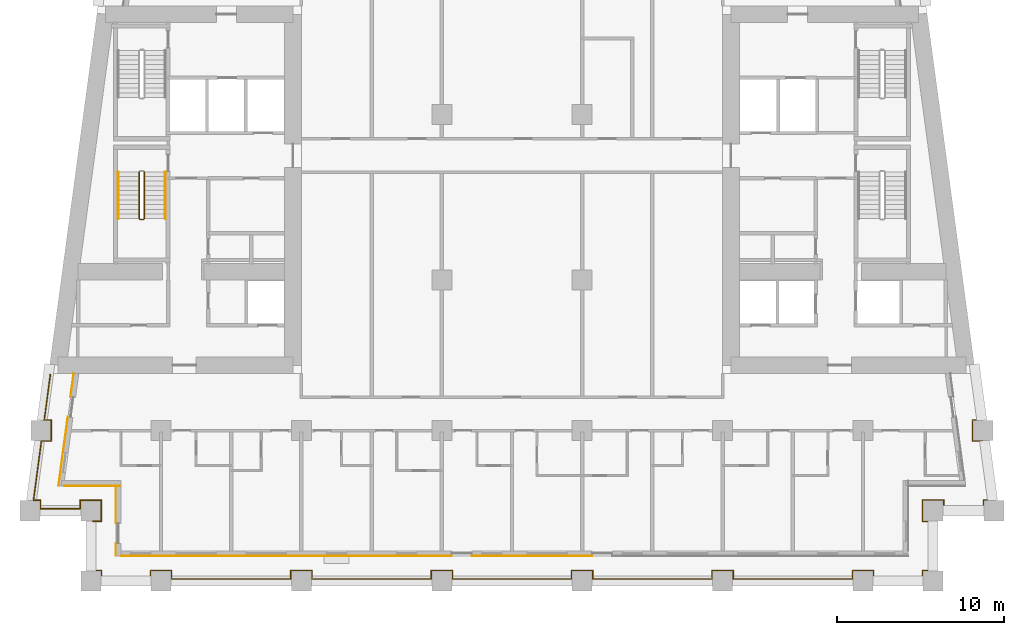
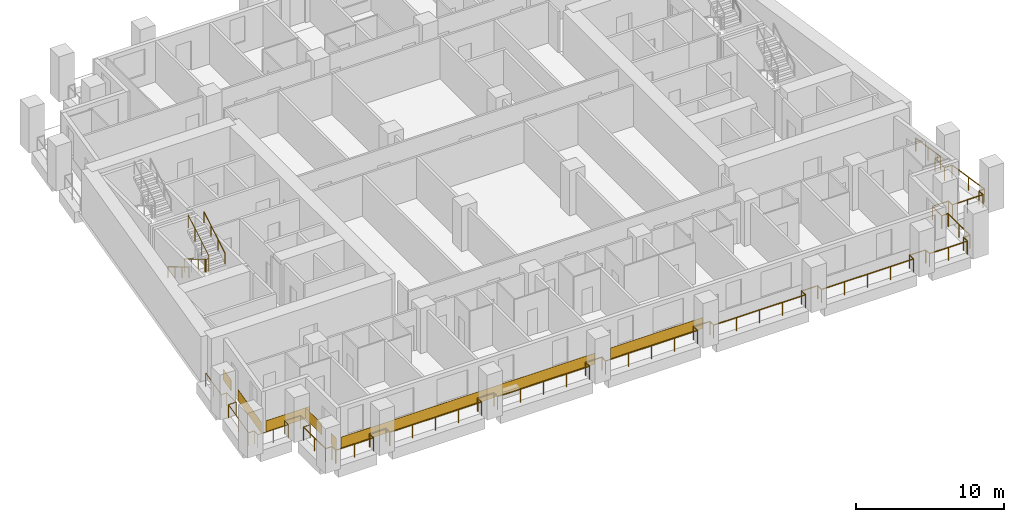
# One storey, part 10 of 14: 7 coverings, 5 railings.
"""IFC4 building model written with IfcOpenShell, lengths in metres."""

from ifc_helpers import new_model, si_unit, direction, frame, origin, origin_2d, place, context, subcontext, project, spatial, rectangle, circle, extrude, material, layer, layer_set, type_object, element, save


model = new_model("IFC4")

# Units and contexts
model_context = context("Model", 3, precision=1e-05, world=origin(), true_north=direction((0.0, 1.0)))
body_context = subcontext(model_context, "Body", "Model", "MODEL_VIEW")
ifc_project = project(units=[si_unit("LENGTHUNIT", "METRE"), si_unit("AREAUNIT", "SQUARE_METRE"), si_unit("VOLUMEUNIT", "CUBIC_METRE"), si_unit("PLANEANGLEUNIT", "RADIAN"), si_unit("MASSUNIT", "GRAM", prefix="KILO")], contexts=[model_context])

# Site, building, storey
site_placement = place(None, origin())
site = spatial("IfcSite", under=ifc_project, at=site_placement, CompositionType="ELEMENT")
building_placement = place(site_placement, origin())
building = spatial("IfcBuilding", under=site, at=building_placement, Name="Candeia Pilgrim Tower and Theatre", CompositionType="ELEMENT")
storey_placement = place(building_placement, frame((0.0, 0.0, 120.60009765625)))
storey = spatial("IfcBuildingStorey", under=building, at=storey_placement, Name="L28", CompositionType="ELEMENT", Elevation=120.60009765625)

# Railings
ifc_material_1 = material(Name="Stainless steel balustrade", Category="steel")
railing_type_1 = type_object("IfcRailingType", Name="G1 loggia guard 1100", PredefinedType="GUARDRAIL", material=ifc_material_1)
railing_1_placement = place(storey_placement, frame((88.320068359375, 101.570068359375, 0.0)))
element("IfcRailing", 1, at=railing_1_placement, inside=storey, type_object=railing_type_1, Name="Guard L28.1", PredefinedType="GUARDRAIL", context=body_context, shape_type="SweptSolid", body=[
    extrude(circle(Radius=0.02392578125, at=origin_2d()), frame((0.0, 0.0, 1.076171875), z_axis=(1.0, 0.0, 0.0), x_axis=(0.0, 1.0, 0.0)), (0.0, 0.0, 1.0), 0.510009765625),
    extrude(circle(Radius=0.02392578125, at=origin_2d()), frame((0.510009765625, 0.0, 1.076171875), z_axis=(0.0, 1.0, 0.0), x_axis=(-1.0, 0.0, 0.0)), (0.0, 0.0, 1.0), 1.260009765625),
    extrude(circle(Radius=0.02392578125, at=origin_2d()), frame((0.510009765625, 1.260009765625, 1.076171875), z_axis=(-1.0, 0.0, 0.0), x_axis=(0.0, -1.0, 0.0)), (0.0, 0.0, 1.0), 1.260009765625),
    extrude(circle(Radius=0.02392578125, at=origin_2d()), frame((-0.75, 1.260009765625, 1.076171875), z_axis=(0.0, -1.0, 0.0), x_axis=(1.0, 0.0, 0.0)), (0.0, 0.0, 1.0), 0.510009765625),
    extrude(circle(Radius=0.02392578125, at=origin_2d()), frame((-0.75, 0.75, 1.076171875), z_axis=(-1.0, 0.0, 0.0), x_axis=(0.0, -1.0, 0.0)), (0.0, 0.0, 1.0), 2.374755859375),
    extrude(circle(Radius=0.02392578125, at=origin_2d()), frame((-3.124755859375, 0.75, 1.076171875), z_axis=(0.0, 1.0, 0.0), x_axis=(-1.0, 0.0, 0.0)), (0.0, 0.0, 1.0), 0.510009765625),
    extrude(circle(Radius=0.02392578125, at=origin_2d()), frame((-3.124755859375, 1.260009765625, 1.076171875), z_axis=(-1.0, 0.0, 0.0), x_axis=(0.0, -1.0, 0.0)), (0.0, 0.0, 1.0), 0.424072265625),
    extrude(circle(Radius=0.02392578125, at=origin_2d()), frame((-3.548828125, 1.260009765625, 1.076171875), z_axis=(0.133417176173, 0.991059966451, 0.0), x_axis=(-0.991059966451, 0.133417176173, 0.0)), (0.0, 0.0, 1.0), 3.572021484375),
    extrude(circle(Radius=0.02392578125, at=origin_2d()), frame((-3.072265625, 4.800048828125, 1.076171875), z_axis=(1.0, 0.0, 0.0), x_axis=(0.0, 1.0, 0.0)), (0.0, 0.0, 1.0), 0.59375),
    extrude(circle(Radius=0.02392578125, at=origin_2d()), frame((-2.478515625, 4.800048828125, 1.076171875), z_axis=(0.0, 1.0, 0.0), x_axis=(-1.0, 0.0, 0.0)), (0.0, 0.0, 1.0), 1.259765625),
    extrude(circle(Radius=0.02392578125, at=origin_2d()), frame((-2.478515625, 6.059814453125, 1.076171875), z_axis=(-1.0, 0.0, 0.0), x_axis=(0.0, -1.0, 0.0)), (0.0, 0.0, 1.0), 0.424072265625),
    extrude(circle(Radius=0.02392578125, at=origin_2d()), frame((-2.902587890625, 6.059814453125, 1.076171875), z_axis=(0.1334220927, 0.991059304572, 0.0), x_axis=(-0.991059304572, 0.1334220927, 0.0)), (0.0, 0.0, 1.0), 2.744873046875),
    extrude(circle(Radius=0.02099609375, at=origin_2d()), origin(), (0.0, 0.0, 1.0), 1.052001953125),
    extrude(circle(Radius=0.02099609375, at=origin_2d()), frame((0.510009765625, 0.0, 0.0)), (0.0, 0.0, 1.0), 1.052001953125),
    extrude(circle(Radius=0.02099609375, at=origin_2d()), frame((0.510009765625, 1.260009765625, 0.0)), (0.0, 0.0, 1.0), 1.052001953125),
    extrude(circle(Radius=0.02099609375, at=origin_2d()), frame((-0.75, 1.260009765625, 0.0)), (0.0, 0.0, 1.0), 1.052001953125),
    extrude(circle(Radius=0.02099609375, at=origin_2d()), frame((-0.75, 0.75, 0.0)), (0.0, 0.0, 1.0), 1.052001953125),
    extrude(circle(Radius=0.02099609375, at=origin_2d()), frame((-1.9375, 0.75, 0.0)), (0.0, 0.0, 1.0), 1.052001953125),
    extrude(circle(Radius=0.02099609375, at=origin_2d()), frame((-3.124755859375, 0.75, 0.0)), (0.0, 0.0, 1.0), 1.052001953125),
    extrude(circle(Radius=0.02099609375, at=origin_2d()), frame((-3.124755859375, 1.260009765625, 0.0)), (0.0, 0.0, 1.0), 1.052001953125),
    extrude(circle(Radius=0.02099609375, at=origin_2d()), frame((-3.548828125, 1.260009765625, 0.0)), (0.0, 0.0, 1.0), 1.052001953125),
    extrude(circle(Radius=0.02099609375, at=origin_2d()), frame((-3.310546875, 3.030029296875, 0.0)), (0.0, 0.0, 1.0), 1.052001953125),
    extrude(circle(Radius=0.02099609375, at=origin_2d()), frame((-3.072265625, 4.800048828125, 0.0)), (0.0, 0.0, 1.0), 1.052001953125),
    extrude(circle(Radius=0.02099609375, at=origin_2d()), frame((-2.478515625, 4.800048828125, 0.0)), (0.0, 0.0, 1.0), 1.052001953125),
    extrude(circle(Radius=0.02099609375, at=origin_2d()), frame((-2.478515625, 6.059814453125, 0.0)), (0.0, 0.0, 1.0), 1.052001953125),
    extrude(circle(Radius=0.02099609375, at=origin_2d()), frame((-2.902587890625, 6.059814453125, 0.0)), (0.0, 0.0, 1.0), 1.052001953125),
    extrude(circle(Radius=0.02099609375, at=origin_2d()), frame((-2.719482421875, 7.419921875, 0.0)), (0.0, 0.0, 1.0), 1.052001953125),
    extrude(circle(Radius=0.02099609375, at=origin_2d()), frame((-2.536376953125, 8.780029296875, 0.0)), (0.0, 0.0, 1.0), 1.052001953125),
])
railing_2_placement = place(storey_placement, frame((141.016357421875, 110.35009765625, 0.0)))
element("IfcRailing", 2, at=railing_2_placement, inside=storey, type_object=railing_type_1, Name="Guard L28.4", PredefinedType="GUARDRAIL", context=body_context, shape_type="SweptSolid", body=[
    extrude(circle(Radius=0.02392578125, at=origin_2d()), frame((0.0, 0.0, 1.076171875), z_axis=(0.1334220927, -0.991059304572, 0.0), x_axis=(0.991059304572, 0.1334220927, 0.0)), (0.0, 0.0, 1.0), 2.744873046875),
    extrude(circle(Radius=0.02392578125, at=origin_2d()), frame((0.3662109375, -2.72021484375, 1.076171875), z_axis=(-1.0, 0.0, 0.0), x_axis=(0.0, -1.0, 0.0)), (0.0, 0.0, 1.0), 0.424072265625),
    extrude(circle(Radius=0.02392578125, at=origin_2d()), frame((-0.057861328125, -2.72021484375, 1.076171875), z_axis=(0.0, -1.0, 0.0), x_axis=(1.0, 0.0, 0.0)), (0.0, 0.0, 1.0), 1.259765625),
    extrude(circle(Radius=0.02392578125, at=origin_2d()), frame((-0.057861328125, -3.97998046875, 1.076171875), z_axis=(1.0, 0.0, 0.0), x_axis=(0.0, 1.0, 0.0)), (0.0, 0.0, 1.0), 0.59375),
    extrude(circle(Radius=0.02392578125, at=origin_2d()), frame((0.535888671875, -3.97998046875, 1.076171875), z_axis=(0.133417176173, -0.991059966451, 0.0), x_axis=(0.991059966451, 0.133417176173, 0.0)), (0.0, 0.0, 1.0), 3.572021484375),
    extrude(circle(Radius=0.02392578125, at=origin_2d()), frame((1.012451171875, -7.52001953125, 1.076171875), z_axis=(-1.0, 0.0, 0.0), x_axis=(0.0, -1.0, 0.0)), (0.0, 0.0, 1.0), 0.424072265625),
    extrude(circle(Radius=0.02392578125, at=origin_2d()), frame((0.58837890625, -7.52001953125, 1.076171875), z_axis=(0.0, -1.0, 0.0), x_axis=(1.0, 0.0, 0.0)), (0.0, 0.0, 1.0), 0.510009765625),
    extrude(circle(Radius=0.02392578125, at=origin_2d()), frame((0.58837890625, -8.030029296875, 1.076171875), z_axis=(-1.0, 0.0, 0.0), x_axis=(0.0, -1.0, 0.0)), (0.0, 0.0, 1.0), 2.374755859375),
    extrude(circle(Radius=0.02392578125, at=origin_2d()), frame((-1.786376953125, -8.030029296875, 1.076171875), z_axis=(0.0, 1.0, 0.0), x_axis=(-1.0, 0.0, 0.0)), (0.0, 0.0, 1.0), 0.510009765625),
    extrude(circle(Radius=0.02392578125, at=origin_2d()), frame((-1.786376953125, -7.52001953125, 1.076171875), z_axis=(-1.0, 0.0, 0.0), x_axis=(0.0, -1.0, 0.0)), (0.0, 0.0, 1.0), 1.260009765625),
    extrude(circle(Radius=0.02392578125, at=origin_2d()), frame((-3.04638671875, -7.52001953125, 1.076171875), z_axis=(0.0, -1.0, 0.0), x_axis=(1.0, 0.0, 0.0)), (0.0, 0.0, 1.0), 1.260009765625),
    extrude(circle(Radius=0.02392578125, at=origin_2d()), frame((-3.04638671875, -8.780029296875, 1.076171875), z_axis=(1.0, 0.0, 0.0), x_axis=(0.0, 1.0, 0.0)), (0.0, 0.0, 1.0), 0.510009765625),
    extrude(circle(Radius=0.02392578125, at=origin_2d()), frame((-2.536376953125, -8.780029296875, 1.076171875), z_axis=(0.0, -1.0, 0.0), x_axis=(1.0, 0.0, 0.0)), (0.0, 0.0, 1.0), 2.940185546875),
    extrude(circle(Radius=0.02392578125, at=origin_2d()), frame((-2.536376953125, -11.72021484375, 1.076171875), z_axis=(-1.0, 0.0, 0.0), x_axis=(0.0, -1.0, 0.0)), (0.0, 0.0, 1.0), 0.510009765625),
    extrude(circle(Radius=0.02392578125, at=origin_2d()), frame((-3.04638671875, -11.72021484375, 1.076171875), z_axis=(0.0, -1.0, 0.0), x_axis=(1.0, 0.0, 0.0)), (0.0, 0.0, 1.0), 0.509765625),
    extrude(circle(Radius=0.02392578125, at=origin_2d()), frame((-3.04638671875, -12.22998046875, 1.076171875), z_axis=(-1.0, 0.0, 0.0), x_axis=(0.0, -1.0, 0.0)), (0.0, 0.0, 1.0), 2.93994140625),
    extrude(circle(Radius=0.02392578125, at=origin_2d()), frame((-5.986328125, -12.22998046875, 1.076171875), z_axis=(0.0, 1.0, 0.0), x_axis=(-1.0, 0.0, 0.0)), (0.0, 0.0, 1.0), 0.509765625),
    extrude(circle(Radius=0.02392578125, at=origin_2d()), frame((-5.986328125, -11.72021484375, 1.076171875), z_axis=(-1.0, 0.0, 0.0), x_axis=(0.0, -1.0, 0.0)), (0.0, 0.0, 1.0), 1.260009765625),
    extrude(circle(Radius=0.02392578125, at=origin_2d()), frame((-7.246337890625, -11.72021484375, 1.076171875), z_axis=(0.0, -1.0, 0.0), x_axis=(1.0, 0.0, 0.0)), (0.0, 0.0, 1.0), 0.509765625),
    extrude(circle(Radius=0.02392578125, at=origin_2d()), frame((-7.246337890625, -12.22998046875, 1.076171875), z_axis=(-1.0, 0.0, 0.0), x_axis=(0.0, -1.0, 0.0)), (0.0, 0.0, 1.0), 7.14013671875),
    extrude(circle(Radius=0.02392578125, at=origin_2d()), frame((-14.386474609375, -12.22998046875, 1.076171875), z_axis=(0.0, 1.0, 0.0), x_axis=(-1.0, 0.0, 0.0)), (0.0, 0.0, 1.0), 0.509765625),
    extrude(circle(Radius=0.02392578125, at=origin_2d()), frame((-14.386474609375, -11.72021484375, 1.076171875), z_axis=(-1.0, 0.0, 0.0), x_axis=(0.0, -1.0, 0.0)), (0.0, 0.0, 1.0), 1.259765625),
    extrude(circle(Radius=0.02392578125, at=origin_2d()), frame((-15.646240234375, -11.72021484375, 1.076171875), z_axis=(0.0, -1.0, 0.0), x_axis=(1.0, 0.0, 0.0)), (0.0, 0.0, 1.0), 0.509765625),
    extrude(circle(Radius=0.02392578125, at=origin_2d()), frame((-15.646240234375, -12.22998046875, 1.076171875), z_axis=(-1.0, 0.0, 0.0), x_axis=(0.0, -1.0, 0.0)), (0.0, 0.0, 1.0), 7.14013671875),
    extrude(circle(Radius=0.02392578125, at=origin_2d()), frame((-22.786376953125, -12.22998046875, 1.076171875), z_axis=(0.0, 1.0, 0.0), x_axis=(-1.0, 0.0, 0.0)), (0.0, 0.0, 1.0), 0.509765625),
    extrude(circle(Radius=0.02392578125, at=origin_2d()), frame((-22.786376953125, -11.72021484375, 1.076171875), z_axis=(-1.0, 0.0, 0.0), x_axis=(0.0, -1.0, 0.0)), (0.0, 0.0, 1.0), 1.260009765625),
    extrude(circle(Radius=0.02392578125, at=origin_2d()), frame((-24.04638671875, -11.72021484375, 1.076171875), z_axis=(0.0, -1.0, 0.0), x_axis=(1.0, 0.0, 0.0)), (0.0, 0.0, 1.0), 0.509765625),
    extrude(circle(Radius=0.02392578125, at=origin_2d()), frame((-24.04638671875, -12.22998046875, 1.076171875), z_axis=(-1.0, 0.0, 0.0), x_axis=(0.0, -1.0, 0.0)), (0.0, 0.0, 1.0), 7.139892578125),
    extrude(circle(Radius=0.02392578125, at=origin_2d()), frame((-31.186279296875, -12.22998046875, 1.076171875), z_axis=(0.0, 1.0, 0.0), x_axis=(-1.0, 0.0, 0.0)), (0.0, 0.0, 1.0), 0.509765625),
    extrude(circle(Radius=0.02392578125, at=origin_2d()), frame((-31.186279296875, -11.72021484375, 1.076171875), z_axis=(-1.0, 0.0, 0.0), x_axis=(0.0, -1.0, 0.0)), (0.0, 0.0, 1.0), 1.260009765625),
    extrude(circle(Radius=0.02392578125, at=origin_2d()), frame((-32.4462890625, -11.72021484375, 1.076171875), z_axis=(0.0, -1.0, 0.0), x_axis=(1.0, 0.0, 0.0)), (0.0, 0.0, 1.0), 0.509765625),
    extrude(circle(Radius=0.02392578125, at=origin_2d()), frame((-32.4462890625, -12.22998046875, 1.076171875), z_axis=(-1.0, 0.0, 0.0), x_axis=(0.0, -1.0, 0.0)), (0.0, 0.0, 1.0), 7.14013671875),
    extrude(circle(Radius=0.02392578125, at=origin_2d()), frame((-39.58642578125, -12.22998046875, 1.076171875), z_axis=(0.0, 1.0, 0.0), x_axis=(-1.0, 0.0, 0.0)), (0.0, 0.0, 1.0), 0.509765625),
    extrude(circle(Radius=0.02392578125, at=origin_2d()), frame((-39.58642578125, -11.72021484375, 1.076171875), z_axis=(-1.0, 0.0, 0.0), x_axis=(0.0, -1.0, 0.0)), (0.0, 0.0, 1.0), 1.260009765625),
    extrude(circle(Radius=0.02392578125, at=origin_2d()), frame((-40.846435546875, -11.72021484375, 1.076171875), z_axis=(0.0, -1.0, 0.0), x_axis=(1.0, 0.0, 0.0)), (0.0, 0.0, 1.0), 0.509765625),
    extrude(circle(Radius=0.02392578125, at=origin_2d()), frame((-40.846435546875, -12.22998046875, 1.076171875), z_axis=(-1.0, 0.0, 0.0), x_axis=(0.0, -1.0, 0.0)), (0.0, 0.0, 1.0), 7.139892578125),
    extrude(circle(Radius=0.02392578125, at=origin_2d()), frame((-47.986328125, -12.22998046875, 1.076171875), z_axis=(0.0, 1.0, 0.0), x_axis=(-1.0, 0.0, 0.0)), (0.0, 0.0, 1.0), 0.509765625),
    extrude(circle(Radius=0.02392578125, at=origin_2d()), frame((-47.986328125, -11.72021484375, 1.076171875), z_axis=(-1.0, 0.0, 0.0), x_axis=(0.0, -1.0, 0.0)), (0.0, 0.0, 1.0), 1.260009765625),
    extrude(circle(Radius=0.02392578125, at=origin_2d()), frame((-49.246337890625, -11.72021484375, 1.076171875), z_axis=(0.0, -1.0, 0.0), x_axis=(1.0, 0.0, 0.0)), (0.0, 0.0, 1.0), 0.509765625),
    extrude(circle(Radius=0.02392578125, at=origin_2d()), frame((-49.246337890625, -12.22998046875, 1.076171875), z_axis=(-1.0, 0.0, 0.0), x_axis=(0.0, -1.0, 0.0)), (0.0, 0.0, 1.0), 2.93994140625),
    extrude(circle(Radius=0.02392578125, at=origin_2d()), frame((-52.186279296875, -12.22998046875, 1.076171875), z_axis=(0.0, 1.0, 0.0), x_axis=(-1.0, 0.0, 0.0)), (0.0, 0.0, 1.0), 0.509765625),
    extrude(circle(Radius=0.02392578125, at=origin_2d()), frame((-52.186279296875, -11.72021484375, 1.076171875), z_axis=(-1.0, 0.0, 0.0), x_axis=(0.0, -1.0, 0.0)), (0.0, 0.0, 1.0), 0.510009765625),
    extrude(circle(Radius=0.02392578125, at=origin_2d()), frame((-52.6962890625, -11.72021484375, 1.076171875), z_axis=(0.0, 1.0, 0.0), x_axis=(-1.0, 0.0, 0.0)), (0.0, 0.0, 1.0), 2.940185546875),
    extrude(circle(Radius=0.02099609375, at=origin_2d()), origin(), (0.0, 0.0, 1.0), 1.052001953125),
    extrude(circle(Radius=0.02099609375, at=origin_2d()), frame((0.18310546875, -1.360107421875, 0.0)), (0.0, 0.0, 1.0), 1.052001953125),
    extrude(circle(Radius=0.02099609375, at=origin_2d()), frame((0.3662109375, -2.72021484375, 0.0)), (0.0, 0.0, 1.0), 1.052001953125),
    extrude(circle(Radius=0.02099609375, at=origin_2d()), frame((-0.057861328125, -2.72021484375, 0.0)), (0.0, 0.0, 1.0), 1.052001953125),
    extrude(circle(Radius=0.02099609375, at=origin_2d()), frame((-0.057861328125, -3.97998046875, 0.0)), (0.0, 0.0, 1.0), 1.052001953125),
    extrude(circle(Radius=0.02099609375, at=origin_2d()), frame((0.535888671875, -3.97998046875, 0.0)), (0.0, 0.0, 1.0), 1.052001953125),
    extrude(circle(Radius=0.02099609375, at=origin_2d()), frame((0.774169921875, -5.75, 0.0)), (0.0, 0.0, 1.0), 1.052001953125),
    extrude(circle(Radius=0.02099609375, at=origin_2d()), frame((1.012451171875, -7.52001953125, 0.0)), (0.0, 0.0, 1.0), 1.052001953125),
    extrude(circle(Radius=0.02099609375, at=origin_2d()), frame((0.58837890625, -7.52001953125, 0.0)), (0.0, 0.0, 1.0), 1.052001953125),
    extrude(circle(Radius=0.02099609375, at=origin_2d()), frame((0.58837890625, -8.030029296875, 0.0)), (0.0, 0.0, 1.0), 1.052001953125),
    extrude(circle(Radius=0.02099609375, at=origin_2d()), frame((-0.59912109375, -8.030029296875, 0.0)), (0.0, 0.0, 1.0), 1.052001953125),
    extrude(circle(Radius=0.02099609375, at=origin_2d()), frame((-1.786376953125, -8.030029296875, 0.0)), (0.0, 0.0, 1.0), 1.052001953125),
    extrude(circle(Radius=0.02099609375, at=origin_2d()), frame((-1.786376953125, -7.52001953125, 0.0)), (0.0, 0.0, 1.0), 1.052001953125),
    extrude(circle(Radius=0.02099609375, at=origin_2d()), frame((-3.04638671875, -7.52001953125, 0.0)), (0.0, 0.0, 1.0), 1.052001953125),
    extrude(circle(Radius=0.02099609375, at=origin_2d()), frame((-3.04638671875, -8.780029296875, 0.0)), (0.0, 0.0, 1.0), 1.052001953125),
    extrude(circle(Radius=0.02099609375, at=origin_2d()), frame((-2.536376953125, -8.780029296875, 0.0)), (0.0, 0.0, 1.0), 1.052001953125),
    extrude(circle(Radius=0.02099609375, at=origin_2d()), frame((-2.536376953125, -10.25, 0.0)), (0.0, 0.0, 1.0), 1.052001953125),
    extrude(circle(Radius=0.02099609375, at=origin_2d()), frame((-2.536376953125, -11.72021484375, 0.0)), (0.0, 0.0, 1.0), 1.052001953125),
    extrude(circle(Radius=0.02099609375, at=origin_2d()), frame((-3.04638671875, -11.72021484375, 0.0)), (0.0, 0.0, 1.0), 1.052001953125),
    extrude(circle(Radius=0.02099609375, at=origin_2d()), frame((-3.04638671875, -12.22998046875, 0.0)), (0.0, 0.0, 1.0), 1.052001953125),
    extrude(circle(Radius=0.02099609375, at=origin_2d()), frame((-4.516357421875, -12.22998046875, 0.0)), (0.0, 0.0, 1.0), 1.052001953125),
    extrude(circle(Radius=0.02099609375, at=origin_2d()), frame((-5.986328125, -12.22998046875, 0.0)), (0.0, 0.0, 1.0), 1.052001953125),
    extrude(circle(Radius=0.02099609375, at=origin_2d()), frame((-5.986328125, -11.72021484375, 0.0)), (0.0, 0.0, 1.0), 1.052001953125),
    extrude(circle(Radius=0.02099609375, at=origin_2d()), frame((-7.246337890625, -11.72021484375, 0.0)), (0.0, 0.0, 1.0), 1.052001953125),
    extrude(circle(Radius=0.02099609375, at=origin_2d()), frame((-7.246337890625, -12.22998046875, 0.0)), (0.0, 0.0, 1.0), 1.052001953125),
    extrude(circle(Radius=0.02099609375, at=origin_2d()), frame((-9.03125, -12.22998046875, 0.0)), (0.0, 0.0, 1.0), 1.052001953125),
    extrude(circle(Radius=0.02099609375, at=origin_2d()), frame((-10.81640625, -12.22998046875, 0.0)), (0.0, 0.0, 1.0), 1.052001953125),
    extrude(circle(Radius=0.02099609375, at=origin_2d()), frame((-12.6015625, -12.22998046875, 0.0)), (0.0, 0.0, 1.0), 1.052001953125),
    extrude(circle(Radius=0.02099609375, at=origin_2d()), frame((-14.386474609375, -12.22998046875, 0.0)), (0.0, 0.0, 1.0), 1.052001953125),
    extrude(circle(Radius=0.02099609375, at=origin_2d()), frame((-14.386474609375, -11.72021484375, 0.0)), (0.0, 0.0, 1.0), 1.052001953125),
    extrude(circle(Radius=0.02099609375, at=origin_2d()), frame((-15.646240234375, -11.72021484375, 0.0)), (0.0, 0.0, 1.0), 1.052001953125),
    extrude(circle(Radius=0.02099609375, at=origin_2d()), frame((-15.646240234375, -12.22998046875, 0.0)), (0.0, 0.0, 1.0), 1.052001953125),
    extrude(circle(Radius=0.02099609375, at=origin_2d()), frame((-17.43115234375, -12.22998046875, 0.0)), (0.0, 0.0, 1.0), 1.052001953125),
    extrude(circle(Radius=0.02099609375, at=origin_2d()), frame((-19.21630859375, -12.22998046875, 0.0)), (0.0, 0.0, 1.0), 1.052001953125),
    extrude(circle(Radius=0.02099609375, at=origin_2d()), frame((-21.00146484375, -12.22998046875, 0.0)), (0.0, 0.0, 1.0), 1.052001953125),
    extrude(circle(Radius=0.02099609375, at=origin_2d()), frame((-22.786376953125, -12.22998046875, 0.0)), (0.0, 0.0, 1.0), 1.052001953125),
    extrude(circle(Radius=0.02099609375, at=origin_2d()), frame((-22.786376953125, -11.72021484375, 0.0)), (0.0, 0.0, 1.0), 1.052001953125),
    extrude(circle(Radius=0.02099609375, at=origin_2d()), frame((-24.04638671875, -11.72021484375, 0.0)), (0.0, 0.0, 1.0), 1.052001953125),
    extrude(circle(Radius=0.02099609375, at=origin_2d()), frame((-24.04638671875, -12.22998046875, 0.0)), (0.0, 0.0, 1.0), 1.052001953125),
    extrude(circle(Radius=0.02099609375, at=origin_2d()), frame((-25.831298828125, -12.22998046875, 0.0)), (0.0, 0.0, 1.0), 1.052001953125),
    extrude(circle(Radius=0.02099609375, at=origin_2d()), frame((-27.6162109375, -12.22998046875, 0.0)), (0.0, 0.0, 1.0), 1.052001953125),
    extrude(circle(Radius=0.02099609375, at=origin_2d()), frame((-29.4013671875, -12.22998046875, 0.0)), (0.0, 0.0, 1.0), 1.052001953125),
    extrude(circle(Radius=0.02099609375, at=origin_2d()), frame((-31.186279296875, -12.22998046875, 0.0)), (0.0, 0.0, 1.0), 1.052001953125),
    extrude(circle(Radius=0.02099609375, at=origin_2d()), frame((-31.186279296875, -11.72021484375, 0.0)), (0.0, 0.0, 1.0), 1.052001953125),
    extrude(circle(Radius=0.02099609375, at=origin_2d()), frame((-32.4462890625, -11.72021484375, 0.0)), (0.0, 0.0, 1.0), 1.052001953125),
    extrude(circle(Radius=0.02099609375, at=origin_2d()), frame((-32.4462890625, -12.22998046875, 0.0)), (0.0, 0.0, 1.0), 1.052001953125),
    extrude(circle(Radius=0.02099609375, at=origin_2d()), frame((-34.2314453125, -12.22998046875, 0.0)), (0.0, 0.0, 1.0), 1.052001953125),
    extrude(circle(Radius=0.02099609375, at=origin_2d()), frame((-36.016357421875, -12.22998046875, 0.0)), (0.0, 0.0, 1.0), 1.052001953125),
    extrude(circle(Radius=0.02099609375, at=origin_2d()), frame((-37.80126953125, -12.22998046875, 0.0)), (0.0, 0.0, 1.0), 1.052001953125),
    extrude(circle(Radius=0.02099609375, at=origin_2d()), frame((-39.58642578125, -12.22998046875, 0.0)), (0.0, 0.0, 1.0), 1.052001953125),
    extrude(circle(Radius=0.02099609375, at=origin_2d()), frame((-39.58642578125, -11.72021484375, 0.0)), (0.0, 0.0, 1.0), 1.052001953125),
    extrude(circle(Radius=0.02099609375, at=origin_2d()), frame((-40.846435546875, -11.72021484375, 0.0)), (0.0, 0.0, 1.0), 1.052001953125),
    extrude(circle(Radius=0.02099609375, at=origin_2d()), frame((-40.846435546875, -12.22998046875, 0.0)), (0.0, 0.0, 1.0), 1.052001953125),
    extrude(circle(Radius=0.02099609375, at=origin_2d()), frame((-42.63134765625, -12.22998046875, 0.0)), (0.0, 0.0, 1.0), 1.052001953125),
    extrude(circle(Radius=0.02099609375, at=origin_2d()), frame((-44.41650390625, -12.22998046875, 0.0)), (0.0, 0.0, 1.0), 1.052001953125),
    extrude(circle(Radius=0.02099609375, at=origin_2d()), frame((-46.201416015625, -12.22998046875, 0.0)), (0.0, 0.0, 1.0), 1.052001953125),
    extrude(circle(Radius=0.02099609375, at=origin_2d()), frame((-47.986328125, -12.22998046875, 0.0)), (0.0, 0.0, 1.0), 1.052001953125),
    extrude(circle(Radius=0.02099609375, at=origin_2d()), frame((-47.986328125, -11.72021484375, 0.0)), (0.0, 0.0, 1.0), 1.052001953125),
    extrude(circle(Radius=0.02099609375, at=origin_2d()), frame((-49.246337890625, -11.72021484375, 0.0)), (0.0, 0.0, 1.0), 1.052001953125),
    extrude(circle(Radius=0.02099609375, at=origin_2d()), frame((-49.246337890625, -12.22998046875, 0.0)), (0.0, 0.0, 1.0), 1.052001953125),
    extrude(circle(Radius=0.02099609375, at=origin_2d()), frame((-50.71630859375, -12.22998046875, 0.0)), (0.0, 0.0, 1.0), 1.052001953125),
    extrude(circle(Radius=0.02099609375, at=origin_2d()), frame((-52.186279296875, -12.22998046875, 0.0)), (0.0, 0.0, 1.0), 1.052001953125),
    extrude(circle(Radius=0.02099609375, at=origin_2d()), frame((-52.186279296875, -11.72021484375, 0.0)), (0.0, 0.0, 1.0), 1.052001953125),
    extrude(circle(Radius=0.02099609375, at=origin_2d()), frame((-52.6962890625, -11.72021484375, 0.0)), (0.0, 0.0, 1.0), 1.052001953125),
    extrude(circle(Radius=0.02099609375, at=origin_2d()), frame((-52.6962890625, -10.25, 0.0)), (0.0, 0.0, 1.0), 1.052001953125),
    extrude(circle(Radius=0.02099609375, at=origin_2d()), frame((-52.6962890625, -8.780029296875, 0.0)), (0.0, 0.0, 1.0), 1.052001953125),
])

# Coverings
ifc_material_2 = material(Name="Glazed ceramic tile red")
ifc_layer = layer(ifc_material_2, 0.02001953125)
ifc_layer_set = layer_set([ifc_layer], Name="Glazed ceramic tile red")
covering_type = type_object("IfcCoveringType", Name="Glazed ceramic tile red", PredefinedType="CLADDING", material=ifc_layer_set)
covering_1_placement = place(storey_placement, frame((99.909912109375, 99.489990234375, 0.0), z_axis=(0.0, 0.0, 1.0), x_axis=(1.0, 0.0, 0.0)))
element("IfcCovering", 3, at=covering_1_placement, inside=storey, type_object=covering_type, Name="Tile cladding red L28", PredefinedType="CLADDING", context=body_context, shape_type="SweptSolid", body=[
    extrude(rectangle(XDim=19.780029296875, YDim=0.02001953125, at=origin_2d()), origin(), (0.0, 0.0, 1.0), 0.89990234375),
])
covering_2_placement = place(storey_placement, frame((114.60009765625, 99.489990234375, 0.0), z_axis=(0.0, 0.0, 1.0), x_axis=(1.0, 0.0, 0.0)))
element("IfcCovering", 4, at=covering_2_placement, inside=storey, type_object=covering_type, Name="Tile cladding red L28", PredefinedType="CLADDING", context=body_context, shape_type="SweptSolid", body=[
    extrude(rectangle(XDim=7.199951171875, YDim=0.02001953125, at=origin_2d()), origin(), (0.0, 0.0, 1.0), 0.89990234375),
])
covering_3_placement = place(storey_placement, frame((87.0810546875, 109.71875, 0.0), z_axis=(0.0, 0.0, 1.0), x_axis=(-0.133412012145, -0.991060661622, 0.0)))
element("IfcCovering", 5, at=covering_3_placement, inside=storey, type_object=covering_type, Name="Tile cladding red L28", PredefinedType="CLADDING", context=body_context, shape_type="SweptSolid", body=[
    extrude(rectangle(XDim=1.41796875, YDim=0.02001953125, at=origin_2d()), origin(), (0.0, 0.0, 1.0), 0.89990234375),
])
covering_4_placement = place(storey_placement, frame((86.548583984375, 105.763916015625, 0.0), z_axis=(0.0, 0.0, 1.0), x_axis=(-0.133412012145, -0.991060661622, 0.0)))
element("IfcCovering", 6, at=covering_4_placement, inside=storey, type_object=covering_type, Name="Tile cladding red L28", PredefinedType="CLADDING", context=body_context, shape_type="SweptSolid", body=[
    extrude(rectangle(XDim=4.16259765625, YDim=0.02001953125, at=origin_2d()), origin(), (0.0, 0.0, 1.0), 0.89990234375),
])
covering_5_placement = place(storey_placement, frame((88.311279296875, 103.68994140625, 0.0), z_axis=(0.0, 0.0, 1.0), x_axis=(1.0, 0.0, 0.0)))
element("IfcCovering", 7, at=covering_5_placement, inside=storey, type_object=covering_type, Name="Tile cladding red L28", PredefinedType="CLADDING", context=body_context, shape_type="SweptSolid", body=[
    extrude(rectangle(XDim=3.377685546875, YDim=0.02001953125, at=origin_2d()), origin(), (0.0, 0.0, 1.0), 0.89990234375),
])
covering_6_placement = place(storey_placement, frame((89.68994140625, 102.56494140625, 0.0), z_axis=(0.0, 0.0, 1.0), x_axis=(0.0, -1.0, 0.0)))
element("IfcCovering", 8, at=covering_6_placement, inside=storey, type_object=covering_type, Name="Tile cladding red L28", PredefinedType="CLADDING", context=body_context, shape_type="SweptSolid", body=[
    extrude(rectangle(XDim=2.22998046875, YDim=0.02001953125, at=origin_2d()), origin(), (0.0, 0.0, 1.0), 0.89990234375),
])
covering_7_placement = place(storey_placement, frame((89.68994140625, 99.875, 0.0), z_axis=(0.0, 0.0, 1.0), x_axis=(0.0, -1.0, 0.0)))
element("IfcCovering", 9, at=covering_7_placement, inside=storey, type_object=covering_type, Name="Tile cladding red L28", PredefinedType="CLADDING", context=body_context, shape_type="SweptSolid", body=[
    extrude(rectangle(XDim=0.75, YDim=0.02001953125, at=origin_2d()), origin(), (0.0, 0.0, 1.0), 0.89990234375),
])

# Railings
railing_type_2 = type_object("IfcRailingType", Name="RL-GUARD-1100", PredefinedType="GUARDRAIL", material=ifc_material_1)
railing_3_placement = place(storey_placement, frame((91.10205078125, 122.47509765625, 0.16796875)))
element("IfcRailing", 10, at=railing_3_placement, inside=storey, type_object=railing_type_2, Name="L28 ST1 stair guard 1", PredefinedType="GUARDRAIL", context=body_context, shape_type="SweptSolid", body=[
    extrude(circle(Radius=0.02392578125, at=origin_2d()), frame((0.0, 0.0, 1.076171875), z_axis=(0.0, -0.857242210791, 0.514913383045), x_axis=(1.0, 0.0, 0.0)), (0.0, 0.0, 1.0), 3.266357421875),
    extrude(circle(Radius=0.02392578125, at=origin_2d()), frame((0.0, -2.800048828125, 2.7578125), z_axis=(0.707106781187, -0.707106781187, 0.0), x_axis=(0.707106781187, 0.707106781187, 0.0)), (0.0, 0.0, 1.0), 0.07080078125),
    extrude(circle(Radius=0.02392578125, at=origin_2d()), frame((0.050048828125, -2.85009765625, 2.7578125), z_axis=(1.0, 0.0, 0.0), x_axis=(0.0, 1.0, 0.0)), (0.0, 0.0, 1.0), 0.199951171875),
    extrude(circle(Radius=0.02392578125, at=origin_2d()), frame((0.25, -2.85009765625, 2.7578125), z_axis=(0.274243871929, 0.274243871929, 0.92172696468), x_axis=(-0.707106781187, 0.707106781187, 0.0)), (0.0, 0.0, 1.0), 0.1826171875),
    extrude(circle(Radius=0.02392578125, at=origin_2d()), frame((0.300048828125, -2.800048828125, 2.92626953125), z_axis=(0.0, 0.857242210791, 0.514913383045), x_axis=(-1.0, 0.0, 0.0)), (0.0, 0.0, 1.0), 3.266357421875),
    extrude(circle(Radius=0.02099609375, at=origin_2d()), origin(), (0.0, 0.0, 1.0), 1.052001953125),
    extrude(circle(Radius=0.02099609375, at=origin_2d()), frame((0.0, -0.933349609375, 0.560546875)), (0.0, 0.0, 1.0), 1.052001953125),
    extrude(circle(Radius=0.02099609375, at=origin_2d()), frame((0.0, -1.86669921875, 1.121337890625)), (0.0, 0.0, 1.0), 1.052001953125),
    extrude(circle(Radius=0.02099609375, at=origin_2d()), frame((0.0, -2.800048828125, 1.681884765625)), (0.0, 0.0, 1.0), 1.052001953125),
    extrude(circle(Radius=0.02099609375, at=origin_2d()), frame((0.050048828125, -2.85009765625, 1.681884765625)), (0.0, 0.0, 1.0), 1.052001953125),
    extrude(circle(Radius=0.02099609375, at=origin_2d()), frame((0.25, -2.85009765625, 1.681884765625)), (0.0, 0.0, 1.0), 1.052001953125),
    extrude(circle(Radius=0.02099609375, at=origin_2d()), frame((0.300048828125, -2.800048828125, 1.85009765625)), (0.0, 0.0, 1.0), 1.052001953125),
    extrude(circle(Radius=0.02099609375, at=origin_2d()), frame((0.300048828125, -1.86669921875, 2.41064453125)), (0.0, 0.0, 1.0), 1.052001953125),
    extrude(circle(Radius=0.02099609375, at=origin_2d()), frame((0.300048828125, -0.933349609375, 2.971435546875)), (0.0, 0.0, 1.0), 1.052001953125),
    extrude(circle(Radius=0.02099609375, at=origin_2d()), frame((0.300048828125, 0.0, 3.531982421875)), (0.0, 0.0, 1.0), 1.052001953125),
])
ifc_material_3 = material(Name="Stainless steel handrail", Category="steel")
railing_type_3 = type_object("IfcRailingType", Name="RL-HANDRAIL-900", PredefinedType="HANDRAIL", material=ifc_material_3)
railing_4_placement = place(storey_placement, frame((89.85205078125, 122.47509765625, 0.16796875)))
element("IfcRailing", 11, at=railing_4_placement, inside=storey, type_object=railing_type_3, Name="L28 ST1 stair handrail 1", PredefinedType="HANDRAIL", context=body_context, shape_type="SweptSolid", body=[
    extrude(circle(Radius=0.02392578125, at=origin_2d()), frame((0.0, 0.0, 0.8759765625), z_axis=(0.0, -0.857242210791, 0.514913383045), x_axis=(1.0, 0.0, 0.0)), (0.0, 0.0, 1.0), 3.266357421875),
    extrude(circle(Radius=0.02099609375, at=origin_2d()), origin(), (0.0, 0.0, 1.0), 0.851806640625),
    extrude(circle(Radius=0.02099609375, at=origin_2d()), frame((0.0, -0.933349609375, 0.560546875)), (0.0, 0.0, 1.0), 0.851806640625),
    extrude(circle(Radius=0.02099609375, at=origin_2d()), frame((0.0, -1.86669921875, 1.121337890625)), (0.0, 0.0, 1.0), 0.851806640625),
    extrude(circle(Radius=0.02099609375, at=origin_2d()), frame((0.0, -2.800048828125, 1.681884765625)), (0.0, 0.0, 1.0), 0.851806640625),
])
railing_5_placement = place(storey_placement, frame((92.652099609375, 119.675048828125, 2.01806640625)))
element("IfcRailing", 12, at=railing_5_placement, inside=storey, type_object=railing_type_3, Name="L28 ST1 stair handrail 2", PredefinedType="HANDRAIL", context=body_context, shape_type="SweptSolid", body=[
    extrude(circle(Radius=0.02392578125, at=origin_2d()), frame((0.0, 0.0, 0.8759765625), z_axis=(0.0, 0.857242210791, 0.514913383045), x_axis=(-1.0, 0.0, 0.0)), (0.0, 0.0, 1.0), 3.266357421875),
    extrude(circle(Radius=0.02099609375, at=origin_2d()), origin(), (0.0, 0.0, 1.0), 0.851806640625),
    extrude(circle(Radius=0.02099609375, at=origin_2d()), frame((0.0, 0.933349609375, 0.560546875)), (0.0, 0.0, 1.0), 0.851806640625),
    extrude(circle(Radius=0.02099609375, at=origin_2d()), frame((0.0, 1.86669921875, 1.121337890625)), (0.0, 0.0, 1.0), 0.851806640625),
    extrude(circle(Radius=0.02099609375, at=origin_2d()), frame((0.0, 2.800048828125, 1.681884765625)), (0.0, 0.0, 1.0), 0.851806640625),
])

save(model, "model.ifc")
